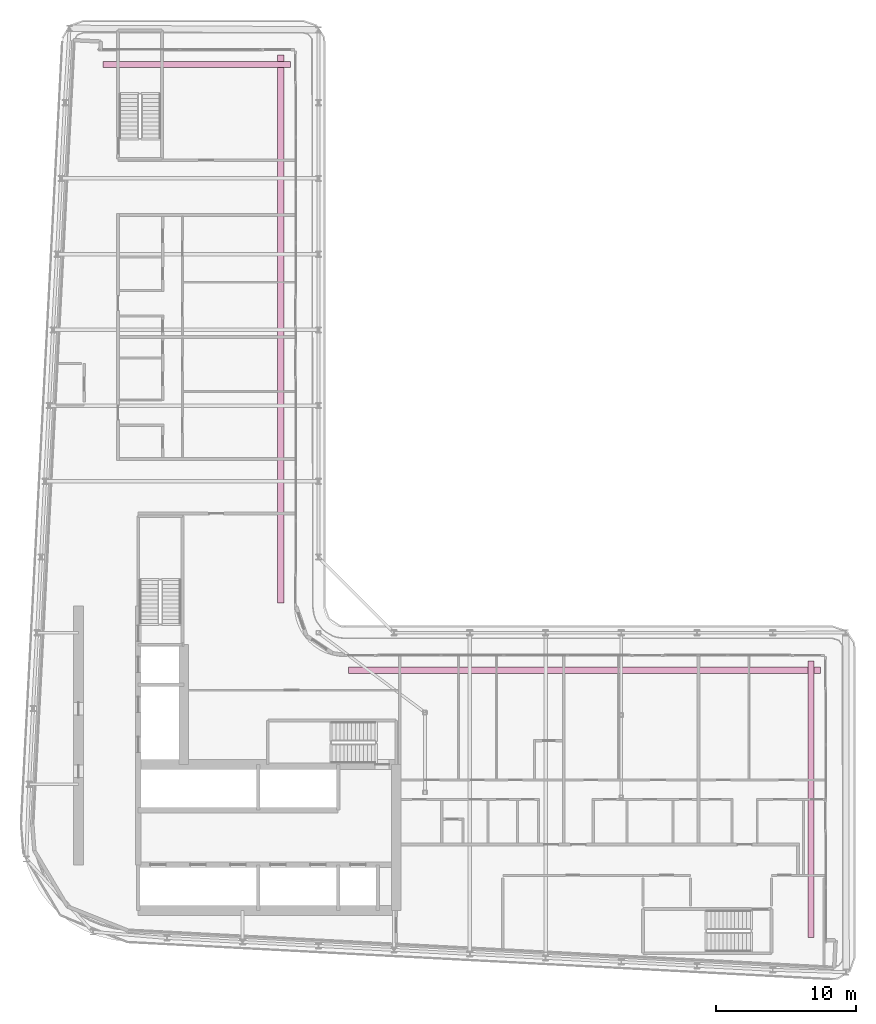
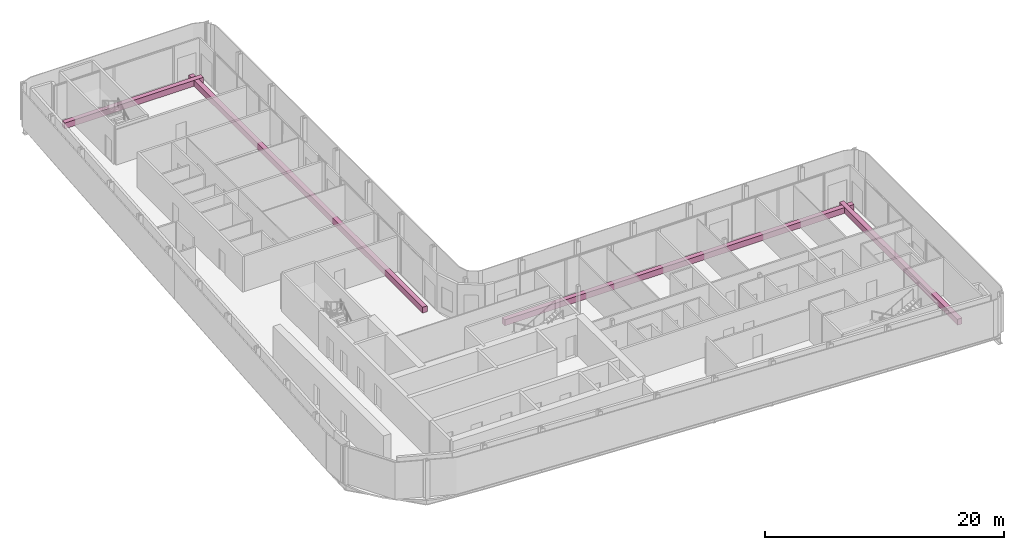
# One storey, part 21 of 21: 4 furniture elements.
"""IFC4 building model written with IfcOpenShell, lengths in metres."""

import ifcopenshell
import ifcopenshell.guid

model = None  # the IFC model being written
_history = None  # IfcOwnerHistory: only IFC2X3 demands one
_inside = {}  # id of a spatial element -> (the spatial element, [elements in it])
_under = {}  # id of a project, library or spatial element -> (it, [spatial elements below it])
_declared = {}  # id of a project -> (the project, [libraries it declares])
_typed = {}  # id of a type object -> (the type object, [elements of that type])
_made_of = {}  # id of a material, layer set ... -> (it, [elements and type objects made of it])


def new_model(schema):
    """Start an empty IFC model of exactly this schema.

    Asked for "IFC4X3", IfcOpenShell would pick the latest addendum, in which some entities
    have other attributes; the version numbers below select the first issue.
    IFC2X3 requires an IfcOwnerHistory on every rooted entity: one is made here for all.
    """
    global model, _history
    if schema == "IFC4X3":
        model = ifcopenshell.file(schema_version=(4, 3, 0, 0))
    else:
        model = ifcopenshell.file(schema=schema)
    _inside.clear()
    _under.clear()
    _declared.clear()
    _typed.clear()
    _made_of.clear()
    _history = None
    if model.schema == "IFC2X3":
        org = make("IfcOrganization", Name="unknown")
        user = make(
            "IfcPersonAndOrganization",
            ThePerson=make("IfcPerson", FamilyName="unknown"),
            TheOrganization=org,
        )
        app = make(
            "IfcApplication",
            ApplicationDeveloper=org,
            Version="unknown",
            ApplicationFullName="unknown",
            ApplicationIdentifier="unknown",
        )
        _history = make(
            "IfcOwnerHistory",
            OwningUser=user,
            OwningApplication=app,
            ChangeAction="ADDED",
            CreationDate=0,
        )
    return model


def make(cls, **values):
    """One entity of the class cls with the attributes given. An attribute that is None is left unset."""
    return model.create_entity(
        cls, **{name: value for name, value in values.items() if value is not None}
    )


def rooted(cls, **values):
    """An entity with a GlobalId (a new one), such as an element, a storey or a relation."""
    return make(cls, GlobalId=ifcopenshell.guid.new(), OwnerHistory=_history, **values)


def si_unit(unit_type, name, prefix=None):
    """IfcSIUnit, for example si_unit("LENGTHUNIT", "METRE", prefix="MILLI")."""
    return make("IfcSIUnit", UnitType=unit_type, Prefix=prefix, Name=name)


def assignment(units):
    """IfcUnitAssignment: the units of a project."""
    return None if units is None else make("IfcUnitAssignment", Units=units)


def point(xyz):
    """IfcCartesianPoint."""
    return None if xyz is None else make("IfcCartesianPoint", Coordinates=xyz)


def direction(xyz):
    """IfcDirection."""
    return None if xyz is None else make("IfcDirection", DirectionRatios=xyz)


def frame(location, z_axis=None, x_axis=None):
    """IfcAxis2Placement3D, a coordinate frame: its origin and axes. An axis left out is left unset."""
    return make(
        "IfcAxis2Placement3D",
        Location=point(location),
        Axis=direction(z_axis),
        RefDirection=direction(x_axis),
    )


def frame_2d(location, x_axis=None):
    """IfcAxis2Placement2D, a coordinate frame in the plane: its origin and x axis."""
    return make(
        "IfcAxis2Placement2D", Location=point(location), RefDirection=direction(x_axis)
    )


def origin():
    """The frame at (0, 0, 0) with its axes left unset."""
    return frame((0.0, 0.0, 0.0))


def origin_2d():
    """The frame at (0, 0) in the plane with its x axis left unset."""
    return frame_2d((0.0, 0.0))


def place(relative_to, where):
    """IfcLocalPlacement: puts the frame where relative to a parent placement (None: the world)."""
    return make(
        "IfcLocalPlacement", PlacementRelTo=relative_to, RelativePlacement=where
    )


def context(
    kind, dimensions, precision=None, world=None, true_north=None, identifier=None
):
    """IfcGeometricRepresentationContext, for example the 3D "Model" context."""
    return make(
        "IfcGeometricRepresentationContext",
        ContextIdentifier=identifier,
        ContextType=kind,
        CoordinateSpaceDimension=dimensions,
        Precision=precision,
        WorldCoordinateSystem=world,
        TrueNorth=true_north,
    )


def subcontext(parent, identifier, kind, view, scale=None):
    """IfcGeometricRepresentationSubContext, for example "Body" below "Model"."""
    return make(
        "IfcGeometricRepresentationSubContext",
        ContextIdentifier=identifier,
        ContextType=kind,
        ParentContext=parent,
        TargetScale=scale,
        TargetView=view,
    )


def project(units=None, contexts=None):
    """IfcProject with its units and contexts."""
    return rooted(
        "IfcProject",
        Name="project",
        RepresentationContexts=contexts,
        UnitsInContext=assignment(units),
    )


def spatial(cls, under=None, at=None, **own):
    """A site, building, storey or space (cls), placed at a placement, below another one or the project."""
    s = rooted(cls, ObjectPlacement=at, **own)
    if under is not None:
        _under.setdefault(under.id(), (under, []))[1].append(s)
    return s


def profile(cls, at=None, kind="AREA", **sizes):
    """A parametric profile (cls). Its sizes go by their IFC names, for example OverallWidth=200.0."""
    return make(cls, ProfileType=kind, Position=at, **sizes)


def rectangle(**sizes):
    """IfcRectangleProfileDef."""
    return profile("IfcRectangleProfileDef", **sizes)


def extrude(swept, where, along, depth):
    """IfcExtrudedAreaSolid: the profile swept, set in the frame where, extruded along a direction by depth."""
    return make(
        "IfcExtrudedAreaSolid",
        SweptArea=swept,
        Position=where,
        ExtrudedDirection=direction(along),
        Depth=depth,
    )


def shape(context_of_items, identifier, shape_type, items):
    """IfcShapeRepresentation: the items that make up one representation, for example the "Body"."""
    return make(
        "IfcShapeRepresentation",
        ContextOfItems=context_of_items,
        RepresentationIdentifier=identifier,
        RepresentationType=shape_type,
        Items=items,
    )


def material(Name=None, Category=None):
    """IfcMaterial."""
    return make("IfcMaterial", Name=Name, Category=Category)


def made_of(thing, what):
    """Note that an element or type object is made of a material, layer set ...; save() writes the relation."""
    if what is not None:
        _made_of.setdefault(what.id(), (what, []))[1].append(thing)
    return thing


def type_object(cls, material=None, **own):
    """A type object (cls), such as IfcWallType, which elements share."""
    return made_of(rooted(cls, **own), material)


def element(
    cls,
    number,
    at=None,
    inside=None,
    cuts=None,
    type_object=None,
    material=None,
    context=None,
    identifier="Body",
    shape_type=None,
    held_by="IfcProductDefinitionShape",
    body=None,
    shapes=None,
    **own,
):
    """One element of the class cls, such as IfcWall. Its Tag is "e" and its number.

    at: its placement. inside: the storey or other place that contains it. cuts: it is an
    opening in that element (IfcRelVoidsElement). A single representation is given by context,
    identifier, shape_type and body (its items); several are given by shapes. held_by: the class
    of the entity that holds the representations. save() writes the other relations.
    """
    e = rooted(cls, Tag="e%d" % number, ObjectPlacement=at, **own)
    if body is not None:
        shapes = [shape(context, identifier, shape_type, body)]
    if shapes is not None:
        e.Representation = make(held_by, Representations=shapes)
    if inside is not None:
        _inside.setdefault(inside.id(), (inside, []))[1].append(e)
    if cuts is not None:
        rooted(
            "IfcRelVoidsElement", RelatingBuildingElement=cuts, RelatedOpeningElement=e
        )
    if type_object is not None:
        _typed.setdefault(type_object.id(), (type_object, []))[1].append(e)
    return made_of(e, material)


def aggregate(whole, parts):
    """IfcRelAggregates: a whole, such as a stair, and the parts it consists of."""
    return rooted("IfcRelAggregates", RelatingObject=whole, RelatedObjects=parts)


def save(model, path):
    """Write the relations noted so far, then the file.

    IfcRelAggregates (storeys below a building ...), IfcRelContainedInSpatialStructure (elements
    in a storey), IfcRelDefinesByType, IfcRelAssociatesMaterial and IfcRelDeclares: one each for
    every whole, place, type object, material and project.
    """
    for whole, parts in _under.values():
        aggregate(whole, parts)
    for where, things in _inside.values():
        rooted(
            "IfcRelContainedInSpatialStructure",
            RelatedElements=things,
            RelatingStructure=where,
        )
    for kind, things in _typed.values():
        rooted("IfcRelDefinesByType", RelatedObjects=things, RelatingType=kind)
    for what, things in _made_of.values():
        rooted("IfcRelAssociatesMaterial", RelatedObjects=things, RelatingMaterial=what)
    for by, libraries in _declared.values():
        rooted("IfcRelDeclares", RelatingContext=by, RelatedDefinitions=libraries)
    model.write(path)


model = new_model("IFC4")

# Units and contexts
model_context = context("Model", 3, precision=1e-05, world=origin(), true_north=direction((0.0, 1.0)))
body_context = subcontext(model_context, "Body", "Model", "MODEL_VIEW")
ifc_project = project(units=[si_unit("LENGTHUNIT", "METRE"), si_unit("AREAUNIT", "SQUARE_METRE"), si_unit("VOLUMEUNIT", "CUBIC_METRE"), si_unit("PLANEANGLEUNIT", "RADIAN"), si_unit("MASSUNIT", "GRAM", prefix="KILO")], contexts=[model_context])

# Site, building, storey
site_placement = place(None, origin())
site = spatial("IfcSite", under=ifc_project, at=site_placement, CompositionType="ELEMENT")
building_placement = place(site_placement, origin())
building = spatial("IfcBuilding", under=site, at=building_placement, Name="Kheshtan School and Residences Tower", CompositionType="ELEMENT")
storey_placement = place(building_placement, frame((0.0, 0.0, 220.10009765625)))
storey = spatial("IfcBuildingStorey", under=building, at=storey_placement, Name="L51", CompositionType="ELEMENT", Elevation=220.10009765625)

# Furniture
ifc_material = material(Name="Precast concrete C30/37 in terracotta finish", Category="masonry")
furniture_type = type_object("IfcFurnitureType", Name="Planter trough", AssemblyPlace="NOTDEFINED", PredefinedType="USERDEFINED", material=ifc_material)
furniture_1_placement = place(storey_placement, frame((38.912109375, 86.125, -0.000244140625), z_axis=(0.0, 0.0, 1.0), x_axis=(1.0, 0.0, 0.0)))
element("IfcFurniture", 1, at=furniture_1_placement, inside=storey, type_object=furniture_type, Name="Planter L51", ObjectType="PLANTER", PredefinedType="USERDEFINED", context=body_context, shape_type="SweptSolid", body=[
    extrude(rectangle(XDim=13.3759765625, YDim=0.449951171875, at=origin_2d()), origin(), (0.0, 0.0, 1.0), 0.60009765625),
])
furniture_2_placement = place(storey_placement, frame((44.925048828125, 67.264892578125, -0.000244140625), z_axis=(0.0, 0.0, 1.0), x_axis=(0.0, -1.0, 0.0)))
element("IfcFurniture", 2, at=furniture_2_placement, inside=storey, type_object=furniture_type, Name="Planter L51", ObjectType="PLANTER", PredefinedType="USERDEFINED", context=body_context, shape_type="SweptSolid", body=[
    extrude(rectangle(XDim=39.070068359375, YDim=0.449951171875, at=origin_2d()), origin(), (0.0, 0.0, 1.0), 0.60009765625),
])
furniture_3_placement = place(storey_placement, frame((66.56494140625, 42.925048828125, -0.000244140625), z_axis=(0.0, 0.0, 1.0), x_axis=(1.0, 0.0, 0.0)))
element("IfcFurniture", 3, at=furniture_3_placement, inside=storey, type_object=furniture_type, Name="Planter L51", ObjectType="PLANTER", PredefinedType="USERDEFINED", context=body_context, shape_type="SweptSolid", body=[
    extrude(rectangle(XDim=33.669921875, YDim=0.449951171875, at=origin_2d()), origin(), (0.0, 0.0, 1.0), 0.60009765625),
])
furniture_4_placement = place(storey_placement, frame((82.72509765625, 33.73291015625, -0.000244140625), z_axis=(0.0, 0.0, 1.0), x_axis=(0.0, -1.0, 0.0)))
element("IfcFurniture", 4, at=furniture_4_placement, inside=storey, type_object=furniture_type, Name="Planter L51", ObjectType="PLANTER", PredefinedType="USERDEFINED", context=body_context, shape_type="SweptSolid", body=[
    extrude(rectangle(XDim=19.73291015625, YDim=0.449951171875, at=origin_2d()), origin(), (0.0, 0.0, 1.0), 0.60009765625),
])

save(model, "model.ifc")
